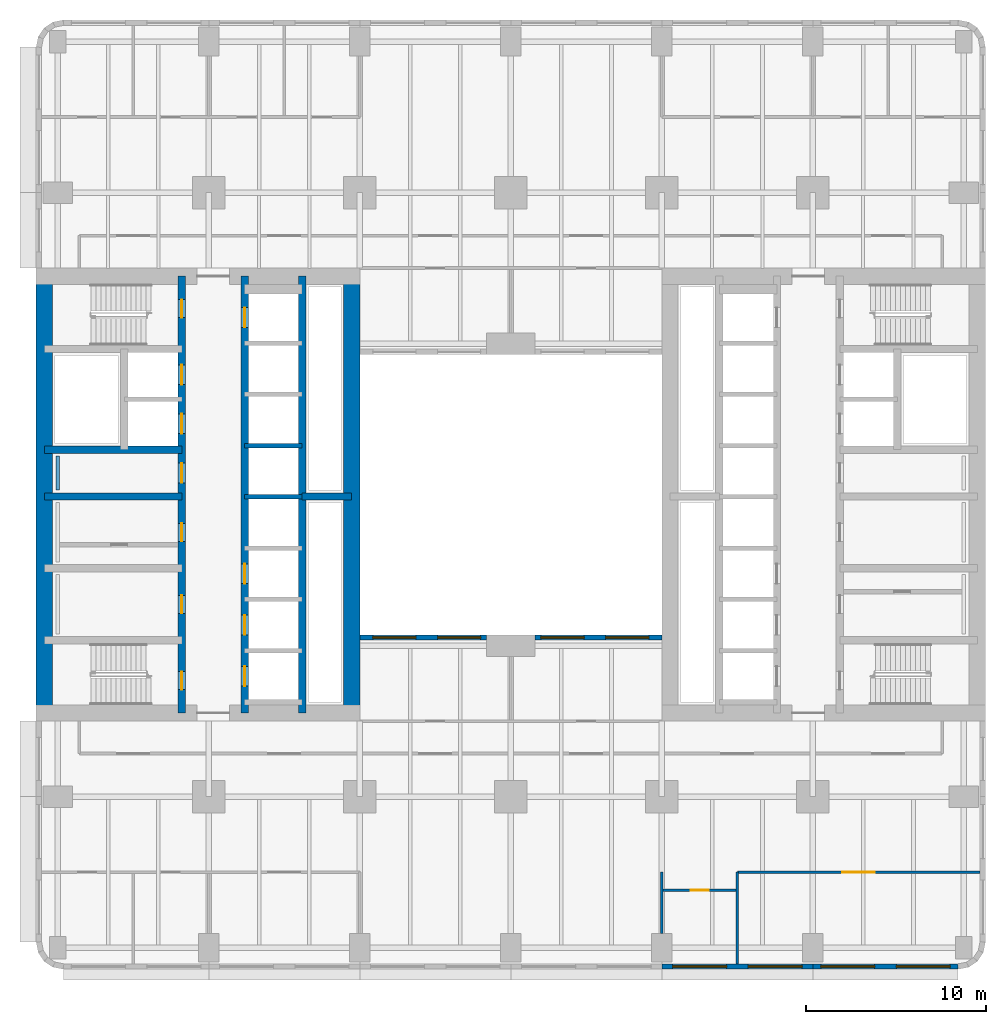
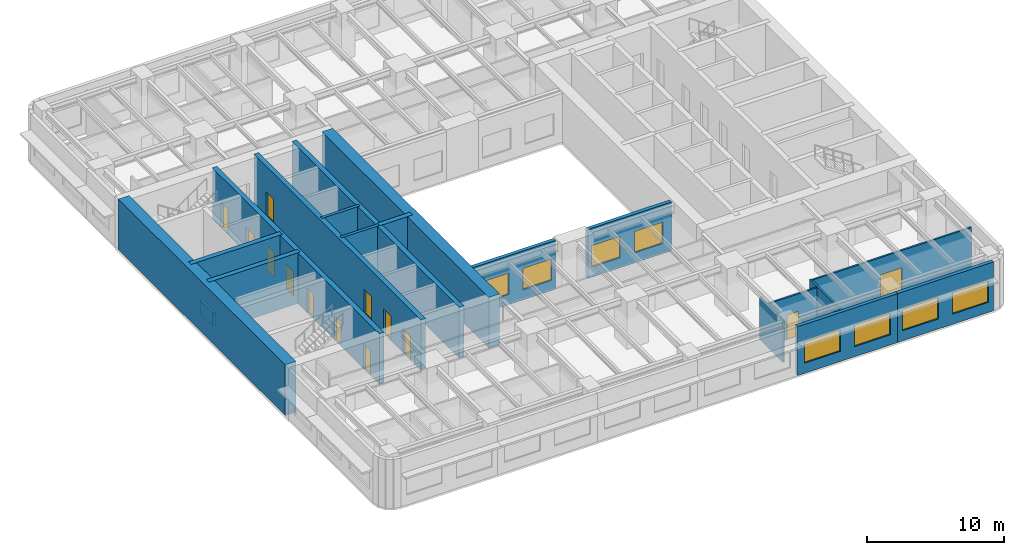
# One storey, part 4 of 14: 19 walls, 13 doors, 8 windows, 21 openings.
"""IFC4 building model written with IfcOpenShell, lengths in metres."""

from ifc_helpers import new_model, si_unit, direction, frame, frame_2d, origin, place, context, subcontext, project, spatial, rectangle, extrude, material, layer, layer_set, type_object, element, fill, save


model = new_model("IFC4")

# Units and contexts
model_context = context("Model", 3, precision=1e-05, world=origin(), true_north=direction((0.0, 1.0)))
body_context = subcontext(model_context, "Body", "Model", "MODEL_VIEW")
ifc_project = project(units=[si_unit("LENGTHUNIT", "METRE"), si_unit("AREAUNIT", "SQUARE_METRE"), si_unit("VOLUMEUNIT", "CUBIC_METRE"), si_unit("PLANEANGLEUNIT", "RADIAN"), si_unit("MASSUNIT", "GRAM", prefix="KILO")], contexts=[model_context])

# Site, building, storey
site_placement = place(None, origin())
site = spatial("IfcSite", under=ifc_project, at=site_placement, CompositionType="ELEMENT")
building_placement = place(site_placement, origin())
building = spatial("IfcBuilding", under=site, at=building_placement, Name="Claustro Exchange Tower", CompositionType="ELEMENT")
storey_placement = place(building_placement, frame((0.0, 0.0, 23.39990234375)))
storey = spatial("IfcBuildingStorey", under=building, at=storey_placement, Name="L05", CompositionType="ELEMENT", Elevation=23.39990234375)

# Wall, opening, door
ifc_material_1 = material(Name="Gypsum board on steel studs", Category="steel")
ifc_layer_1 = layer(ifc_material_1, 0.14990234375)
ifc_layer_set_1 = layer_set([ifc_layer_1], Name="Gypsum board on steel studs")
wall_type_1 = type_object("IfcWallType", Name="P1 150 plasterboard partition", PredefinedType="PARTITIONING", material=ifc_layer_set_1)
wall_1_placement = place(storey_placement, frame((33.674072265625, 3.199951171875, 0.0), z_axis=(0.0, 0.0, 1.0), x_axis=(1.0, 0.0, 0.0)))
wall_1 = element("IfcWall", 1, at=wall_1_placement, inside=storey, type_object=wall_type_1, Name="Partition P1 L05", PredefinedType="PARTITIONING", context=body_context, shape_type="SweptSolid", body=[
    extrude(rectangle(XDim=4.052001953125, YDim=0.14990234375, at=frame_2d((2.02587890625, 0.0))), origin(), (0.0, 0.0, 1.0), 3.739990234375),
])
opening_1_placement = place(wall_1_placement, frame((1.52587890625, 0.0, 0.0)))
opening_1 = element("IfcOpeningElement", 2, at=opening_1_placement, cuts=wall_1, Name="Opening D1", PredefinedType="OPENING", context=body_context, shape_type="SweptSolid", body=[
    extrude(rectangle(XDim=1.0, YDim=2.199951171875, at=frame_2d((0.5, 1.10009765625))), frame((0.0, 0.0849609375, 0.0), z_axis=(0.0, -1.0, 0.0), x_axis=(1.0, 0.0, 0.0)), (0.0, 0.0, 1.0), 0.169921875),
])
ifc_material_2 = material(Name="Timber door, oak veneer", Category="wood")
door_type_1 = type_object("IfcDoorType", Name="D1 1000 x 2200 single door", OperationType="SINGLE_SWING_LEFT", PredefinedType="DOOR", material=ifc_material_2)
door_1_placement = place(opening_1_placement, frame((1.0, 0.0, 0.0), z_axis=(0.0, 0.0, 1.0), x_axis=(-1.0, 0.0, 0.0)))
door_1 = element("IfcDoor", 3, at=door_1_placement, inside=storey, type_object=door_type_1, Name="Door D1 L05", OperationType="SINGLE_SWING_LEFT", OverallHeight=2.199951171875, OverallWidth=1.0, PredefinedType="DOOR", context=body_context, shape_type="SweptSolid", body=[
    extrude(rectangle(XDim=1.0, YDim=2.199951171875, at=frame_2d((0.5, 1.10009765625))), frame((0.0, 0.02490234375, 0.0), z_axis=(0.0, -1.0, 0.0), x_axis=(1.0, 0.0, 0.0)), (0.0, 0.0, 1.0), 0.050048828125),
])
fill(opening_1, door_1)

wall_2_placement = place(storey_placement, frame((37.800048828125, 4.199951171875, 0.0), z_axis=(0.0, 0.0, 1.0), x_axis=(1.0, 0.0, 0.0)))
wall_2 = element("IfcWall", 4, at=wall_2_placement, inside=storey, type_object=wall_type_1, Name="Partition P1 L05", PredefinedType="PARTITIONING", context=body_context, shape_type="SweptSolid", body=[
    extrude(rectangle(XDim=13.501953125, YDim=0.14990234375, at=frame_2d((6.7509765625, 0.0))), origin(), (0.0, 0.0, 1.0), 3.739990234375),
])
opening_2_placement = place(wall_2_placement, frame((5.85009765625, 0.0, 0.0)))
opening_2 = element("IfcOpeningElement", 5, at=opening_2_placement, cuts=wall_2, Name="Opening D2", PredefinedType="OPENING", context=body_context, shape_type="SweptSolid", body=[
    extrude(rectangle(XDim=1.800048828125, YDim=2.199951171875, at=frame_2d((0.89990234375, 1.10009765625))), frame((0.0, 0.0849609375, 0.0), z_axis=(0.0, -1.0, 0.0), x_axis=(1.0, 0.0, 0.0)), (0.0, 0.0, 1.0), 0.169921875),
])
ifc_material_3 = material(Name="Timber door, oak veneer", Category="wood")
door_type_2 = type_object("IfcDoorType", Name="D2 1800 x 2200 double door", OperationType="DOUBLE_DOOR_SINGLE_SWING", PredefinedType="DOOR", material=ifc_material_3)
door_2_placement = place(opening_2_placement, frame((1.800048828125, 0.0, 0.0), z_axis=(0.0, 0.0, 1.0), x_axis=(-1.0, 0.0, 0.0)))
door_2 = element("IfcDoor", 6, at=door_2_placement, inside=storey, type_object=door_type_2, Name="Double door D2 L05", OperationType="DOUBLE_DOOR_SINGLE_SWING", OverallHeight=2.199951171875, OverallWidth=1.800048828125, PredefinedType="DOOR", context=body_context, shape_type="SweptSolid", body=[
    extrude(rectangle(XDim=1.800048828125, YDim=2.199951171875, at=frame_2d((0.89990234375, 1.10009765625))), frame((0.0, 0.02490234375, 0.0), z_axis=(0.0, -1.0, 0.0), x_axis=(1.0, 0.0, 0.0)), (0.0, 0.0, 1.0), 0.050048828125),
])
fill(opening_2, door_2)

# Walls
wall_3_placement = place(storey_placement, frame((33.60009765625, 0.799072265625, 0.0), z_axis=(0.0, 0.0, 1.0), x_axis=(0.0, 1.0, 0.0)))
element("IfcWall", 7, at=wall_3_placement, inside=storey, type_object=wall_type_1, Name="Partition P1 L05", PredefinedType="PARTITIONING", context=body_context, shape_type="SweptSolid", body=[
    extrude(rectangle(XDim=3.40087890625, YDim=0.14990234375, at=frame_2d((1.700439453125, 0.0))), origin(), (0.0, 0.0, 1.0), 3.739990234375),
])
wall_4_placement = place(storey_placement, frame((37.800048828125, -0.902099609375, 0.0), z_axis=(0.0, 0.0, 1.0), x_axis=(0.0, 1.0, 0.0)))
element("IfcWall", 8, at=wall_4_placement, inside=storey, type_object=wall_type_1, Name="Partition P1 L05", PredefinedType="PARTITIONING", context=body_context, shape_type="SweptSolid", body=[
    extrude(rectangle(XDim=5.10205078125, YDim=0.14990234375, at=frame_2d((2.551025390625, 0.0))), origin(), (0.0, 0.0, 1.0), 3.840087890625),
])

# Wall, openings, windows
ifc_material_4 = material(Name="Concrete HA-40 (C40/50), precast, white cement, acid-etched", Category="concrete")
ifc_layer_2 = layer(ifc_material_4, 0.300048828125)
ifc_layer_set_2 = layer_set([ifc_layer_2], Name="Concrete HA-40 (C40/50), precast, white cement, acid-etched")
wall_type_2 = type_object("IfcWallType", Name="PC1 300 precast concrete pier panel", PredefinedType="SOLIDWALL", material=ifc_layer_set_2)
wall_5_placement = place(storey_placement, frame((50.085205078125, -1.050048828125, 0.0), z_axis=(0.0, 0.0, 1.0), x_axis=(-1.0, 0.0, 0.0)))
wall_5 = element("IfcWall", 9, at=wall_5_placement, inside=storey, type_object=wall_type_2, Name="Precast pier panel PC1 L05", PredefinedType="SOLIDWALL", context=body_context, shape_type="SweptSolid", body=[
    extrude(rectangle(XDim=8.085205078125, YDim=0.300048828125, at=frame_2d((4.04248046875, 0.0))), origin(), (0.0, 0.0, 1.0), 4.340087890625),
])
opening_3_placement = place(wall_5_placement, frame((0.442626953125, 0.0, 0.89990234375)))
opening_3 = element("IfcOpeningElement", 10, at=opening_3_placement, cuts=wall_5, Name="Opening W1", PredefinedType="OPENING", context=body_context, shape_type="SweptSolid", body=[
    extrude(rectangle(XDim=3.0, YDim=1.89990234375, at=frame_2d((1.5, 0.949951171875))), frame((0.0, 0.159912109375, 0.0), z_axis=(0.0, -1.0, 0.0), x_axis=(1.0, 0.0, 0.0)), (0.0, 0.0, 1.0), 0.320068359375),
])
opening_4_placement = place(wall_5_placement, frame((4.642578125, 0.0, 0.89990234375)))
opening_4 = element("IfcOpeningElement", 11, at=opening_4_placement, cuts=wall_5, Name="Opening W1", PredefinedType="OPENING", context=body_context, shape_type="SweptSolid", body=[
    extrude(rectangle(XDim=3.0, YDim=1.89990234375, at=frame_2d((1.5, 0.949951171875))), frame((0.0, 0.159912109375, 0.0), z_axis=(0.0, -1.0, 0.0), x_axis=(1.0, 0.0, 0.0)), (0.0, 0.0, 1.0), 0.320068359375),
])
ifc_material_5 = material(Name="Aluminium frame, clear double glazing", Category="aluminium")
window_type_1 = type_object("IfcWindowType", Name="W1 3000 x 1900 window", PartitioningType="SINGLE_PANEL", PredefinedType="WINDOW", material=ifc_material_5)
window_1_placement = place(opening_3_placement, origin())
window_1 = element("IfcWindow", 12, at=window_1_placement, inside=storey, type_object=window_type_1, Name="Window W1 L05", OverallHeight=1.89990234375, OverallWidth=3.0, PartitioningType="SINGLE_PANEL", PredefinedType="WINDOW", context=body_context, shape_type="SweptSolid", body=[
    extrude(rectangle(XDim=3.0, YDim=1.89990234375, at=frame_2d((1.5, 0.949951171875))), frame((0.0, 0.030029296875, 0.0), z_axis=(0.0, -1.0, 0.0), x_axis=(1.0, 0.0, 0.0)), (0.0, 0.0, 1.0), 0.06005859375),
])
fill(opening_3, window_1)
window_2_placement = place(opening_4_placement, origin())
window_2 = element("IfcWindow", 13, at=window_2_placement, inside=storey, type_object=window_type_1, Name="Window W1 L05", OverallHeight=1.89990234375, OverallWidth=3.0, PartitioningType="SINGLE_PANEL", PredefinedType="WINDOW", context=body_context, shape_type="SweptSolid", body=[
    extrude(rectangle(XDim=3.0, YDim=1.89990234375, at=frame_2d((1.5, 0.949951171875))), frame((0.0, 0.030029296875, 0.0), z_axis=(0.0, -1.0, 0.0), x_axis=(1.0, 0.0, 0.0)), (0.0, 0.0, 1.0), 0.06005859375),
])
fill(opening_4, window_2)

wall_6_placement = place(storey_placement, frame((42.0, -1.050048828125, 0.0), z_axis=(0.0, 0.0, 1.0), x_axis=(-1.0, 0.0, 0.0)))
wall_6 = element("IfcWall", 14, at=wall_6_placement, inside=storey, type_object=wall_type_2, Name="Precast pier panel PC1 L05", PredefinedType="SOLIDWALL", context=body_context, shape_type="SweptSolid", body=[
    extrude(rectangle(XDim=8.39990234375, YDim=0.300048828125, at=frame_2d((4.199951171875, 0.0))), origin(), (0.0, 0.0, 1.0), 4.340087890625),
])
opening_5_placement = place(wall_6_placement, frame((0.60009765625, 0.0, 0.89990234375)))
opening_5 = element("IfcOpeningElement", 15, at=opening_5_placement, cuts=wall_6, Name="Opening W1", PredefinedType="OPENING", context=body_context, shape_type="SweptSolid", body=[
    extrude(rectangle(XDim=3.0, YDim=1.89990234375, at=frame_2d((1.5, 0.949951171875))), frame((0.0, 0.159912109375, 0.0), z_axis=(0.0, -1.0, 0.0), x_axis=(1.0, 0.0, 0.0)), (0.0, 0.0, 1.0), 0.320068359375),
])
opening_6_placement = place(wall_6_placement, frame((4.800048828125, 0.0, 0.89990234375)))
opening_6 = element("IfcOpeningElement", 16, at=opening_6_placement, cuts=wall_6, Name="Opening W1", PredefinedType="OPENING", context=body_context, shape_type="SweptSolid", body=[
    extrude(rectangle(XDim=3.0, YDim=1.89990234375, at=frame_2d((1.5, 0.949951171875))), frame((0.0, 0.159912109375, 0.0), z_axis=(0.0, -1.0, 0.0), x_axis=(1.0, 0.0, 0.0)), (0.0, 0.0, 1.0), 0.320068359375),
])
window_3_placement = place(opening_5_placement, origin())
window_3 = element("IfcWindow", 17, at=window_3_placement, inside=storey, type_object=window_type_1, Name="Window W1 L05", OverallHeight=1.89990234375, OverallWidth=3.0, PartitioningType="SINGLE_PANEL", PredefinedType="WINDOW", context=body_context, shape_type="SweptSolid", body=[
    extrude(rectangle(XDim=3.0, YDim=1.89990234375, at=frame_2d((1.5, 0.949951171875))), frame((0.0, 0.030029296875, 0.0), z_axis=(0.0, -1.0, 0.0), x_axis=(1.0, 0.0, 0.0)), (0.0, 0.0, 1.0), 0.06005859375),
])
fill(opening_5, window_3)
window_4_placement = place(opening_6_placement, origin())
window_4 = element("IfcWindow", 18, at=window_4_placement, inside=storey, type_object=window_type_1, Name="Window W1 L05", OverallHeight=1.89990234375, OverallWidth=3.0, PartitioningType="SINGLE_PANEL", PredefinedType="WINDOW", context=body_context, shape_type="SweptSolid", body=[
    extrude(rectangle(XDim=3.0, YDim=1.89990234375, at=frame_2d((1.5, 0.949951171875))), frame((0.0, 0.030029296875, 0.0), z_axis=(0.0, -1.0, 0.0), x_axis=(1.0, 0.0, 0.0)), (0.0, 0.0, 1.0), 0.06005859375),
])
fill(opening_6, window_4)

wall_7_placement = place(storey_placement, frame((16.800048828125, 17.25, 0.0), z_axis=(0.0, 0.0, 1.0), x_axis=(1.0, 0.0, 0.0)))
wall_7 = element("IfcWall", 19, at=wall_7_placement, inside=storey, type_object=wall_type_2, Name="Precast pier panel PC1 L05", PredefinedType="SOLIDWALL", context=body_context, shape_type="SweptSolid", body=[
    extrude(rectangle(XDim=7.050048828125, YDim=0.300048828125, at=frame_2d((3.52490234375, 0.0))), origin(), (0.0, 0.0, 1.0), 4.340087890625),
])
opening_7_placement = place(wall_7_placement, frame((0.72509765625, 0.0, 0.89990234375)))
opening_7 = element("IfcOpeningElement", 20, at=opening_7_placement, cuts=wall_7, Name="Opening W2", PredefinedType="OPENING", context=body_context, shape_type="SweptSolid", body=[
    extrude(rectangle(XDim=2.39990234375, YDim=1.89990234375, at=frame_2d((1.199951171875, 0.949951171875))), frame((0.0, 0.159912109375, 0.0), z_axis=(0.0, -1.0, 0.0), x_axis=(1.0, 0.0, 0.0)), (0.0, 0.0, 1.0), 0.320068359375),
])
opening_8_placement = place(wall_7_placement, frame((4.324951171875, 0.0, 0.89990234375)))
opening_8 = element("IfcOpeningElement", 21, at=opening_8_placement, cuts=wall_7, Name="Opening W2", PredefinedType="OPENING", context=body_context, shape_type="SweptSolid", body=[
    extrude(rectangle(XDim=2.39990234375, YDim=1.89990234375, at=frame_2d((1.199951171875, 0.949951171875))), frame((0.0, 0.159912109375, 0.0), z_axis=(0.0, -1.0, 0.0), x_axis=(1.0, 0.0, 0.0)), (0.0, 0.0, 1.0), 0.320068359375),
])
ifc_material_6 = material(Name="Aluminium frame, clear double glazing", Category="aluminium")
window_type_2 = type_object("IfcWindowType", Name="W2 2400 x 1900 window", PartitioningType="SINGLE_PANEL", PredefinedType="WINDOW", material=ifc_material_6)
window_5_placement = place(opening_7_placement, origin())
window_5 = element("IfcWindow", 22, at=window_5_placement, inside=storey, type_object=window_type_2, Name="Window W2 L05", OverallHeight=1.89990234375, OverallWidth=2.39990234375, PartitioningType="SINGLE_PANEL", PredefinedType="WINDOW", context=body_context, shape_type="SweptSolid", body=[
    extrude(rectangle(XDim=2.39990234375, YDim=1.89990234375, at=frame_2d((1.199951171875, 0.949951171875))), frame((0.0, 0.030029296875, 0.0), z_axis=(0.0, -1.0, 0.0), x_axis=(1.0, 0.0, 0.0)), (0.0, 0.0, 1.0), 0.06005859375),
])
fill(opening_7, window_5)
window_6_placement = place(opening_8_placement, origin())
window_6 = element("IfcWindow", 23, at=window_6_placement, inside=storey, type_object=window_type_2, Name="Window W2 L05", OverallHeight=1.89990234375, OverallWidth=2.39990234375, PartitioningType="SINGLE_PANEL", PredefinedType="WINDOW", context=body_context, shape_type="SweptSolid", body=[
    extrude(rectangle(XDim=2.39990234375, YDim=1.89990234375, at=frame_2d((1.199951171875, 0.949951171875))), frame((0.0, 0.030029296875, 0.0), z_axis=(0.0, -1.0, 0.0), x_axis=(1.0, 0.0, 0.0)), (0.0, 0.0, 1.0), 0.06005859375),
])
fill(opening_8, window_6)

wall_8_placement = place(storey_placement, frame((26.550048828125, 17.25, 0.0), z_axis=(0.0, 0.0, 1.0), x_axis=(1.0, 0.0, 0.0)))
wall_8 = element("IfcWall", 24, at=wall_8_placement, inside=storey, type_object=wall_type_2, Name="Precast pier panel PC1 L05", PredefinedType="SOLIDWALL", context=body_context, shape_type="SweptSolid", body=[
    extrude(rectangle(XDim=7.050048828125, YDim=0.300048828125, at=frame_2d((3.52490234375, 0.0))), origin(), (0.0, 0.0, 1.0), 4.340087890625),
])
opening_9_placement = place(wall_8_placement, frame((0.324951171875, 0.0, 0.89990234375)))
opening_9 = element("IfcOpeningElement", 25, at=opening_9_placement, cuts=wall_8, Name="Opening W2", PredefinedType="OPENING", context=body_context, shape_type="SweptSolid", body=[
    extrude(rectangle(XDim=2.39990234375, YDim=1.89990234375, at=frame_2d((1.199951171875, 0.949951171875))), frame((0.0, 0.159912109375, 0.0), z_axis=(0.0, -1.0, 0.0), x_axis=(1.0, 0.0, 0.0)), (0.0, 0.0, 1.0), 0.320068359375),
])
opening_10_placement = place(wall_8_placement, frame((3.925048828125, 0.0, 0.89990234375)))
opening_10 = element("IfcOpeningElement", 26, at=opening_10_placement, cuts=wall_8, Name="Opening W2", PredefinedType="OPENING", context=body_context, shape_type="SweptSolid", body=[
    extrude(rectangle(XDim=2.39990234375, YDim=1.89990234375, at=frame_2d((1.199951171875, 0.949951171875))), frame((0.0, 0.159912109375, 0.0), z_axis=(0.0, -1.0, 0.0), x_axis=(1.0, 0.0, 0.0)), (0.0, 0.0, 1.0), 0.320068359375),
])
window_7_placement = place(opening_9_placement, origin())
window_7 = element("IfcWindow", 27, at=window_7_placement, inside=storey, type_object=window_type_2, Name="Window W2 L05", OverallHeight=1.89990234375, OverallWidth=2.39990234375, PartitioningType="SINGLE_PANEL", PredefinedType="WINDOW", context=body_context, shape_type="SweptSolid", body=[
    extrude(rectangle(XDim=2.39990234375, YDim=1.89990234375, at=frame_2d((1.199951171875, 0.949951171875))), frame((0.0, 0.030029296875, 0.0), z_axis=(0.0, -1.0, 0.0), x_axis=(1.0, 0.0, 0.0)), (0.0, 0.0, 1.0), 0.06005859375),
])
fill(opening_9, window_7)
window_8_placement = place(opening_10_placement, origin())
window_8 = element("IfcWindow", 28, at=window_8_placement, inside=storey, type_object=window_type_2, Name="Window W2 L05", OverallHeight=1.89990234375, OverallWidth=2.39990234375, PartitioningType="SINGLE_PANEL", PredefinedType="WINDOW", context=body_context, shape_type="SweptSolid", body=[
    extrude(rectangle(XDim=2.39990234375, YDim=1.89990234375, at=frame_2d((1.199951171875, 0.949951171875))), frame((0.0, 0.030029296875, 0.0), z_axis=(0.0, -1.0, 0.0), x_axis=(1.0, 0.0, 0.0)), (0.0, 0.0, 1.0), 0.06005859375),
])
fill(opening_10, window_8)

# Walls
ifc_material_7 = material(Name="Gypsum board on steel studs, tiled", Category="steel")
ifc_layer_3 = layer(ifc_material_7, 0.199951171875)
ifc_layer_set_3 = layer_set([ifc_layer_3], Name="Gypsum board on steel studs, tiled")
wall_type_3 = type_object("IfcWallType", Name="PW1 200 WC duct wall", PredefinedType="PLUMBINGWALL", material=ifc_layer_set_3)
wall_9_placement = place(storey_placement, frame((0.0, 25.449951171875, 0.0), z_axis=(0.0, 0.0, 1.0), x_axis=(0.0, 1.0, 0.0)))
element("IfcWall", 29, at=wall_9_placement, inside=storey, type_object=wall_type_3, Name="WC duct wall PW1 L05", PredefinedType="PLUMBINGWALL", context=body_context, shape_type="SweptSolid", body=[
    extrude(rectangle(XDim=1.900146484375, YDim=0.199951171875, at=frame_2d((0.9501953125, 0.0))), origin(), (0.0, 0.0, 1.0), 1.2001953125),
])
ifc_material_8 = material(Name="Concrete HA-70 (C70/85)", Category="concrete")
ifc_layer_4 = layer(ifc_material_8, 0.89990234375)
ifc_layer_set_4 = layer_set([ifc_layer_4], Name="Concrete HA-70 (C70/85)")
wall_type_4 = type_object("IfcWallType", Name="SW1X 900 exposed core shear wall, board-marked face", PredefinedType="SHEAR", material=ifc_layer_set_4)
for number, where, z_axis, x_axis, name in (
    (30, (-0.75, 13.050048828125, 0.0), (0.0, 0.0, 1.0), (0.0, 1.0, 0.0), "Core wall SW1X W core W face L05"),
    (31, (16.35009765625, 13.050048828125, 0.0), (0.0, 0.0, 1.0), (0.0, 1.0, 0.0), "Core wall SW1X W core E face L05"),
):
    element("IfcWall", number, at=place(storey_placement, frame(where, z_axis=z_axis, x_axis=x_axis)), inside=storey, type_object=wall_type_4, Name=name, PredefinedType="SHEAR", context=body_context, shape_type="SweptSolid", body=[
        extrude(rectangle(XDim=24.300048828125, YDim=0.89990234375, at=frame_2d((12.14990234375, 0.0))), origin(), (0.0, 0.0, 1.0), 4.5),
    ])

# Wall, openings, doors
ifc_material_9 = material(Name="Concrete HA-50 (C50/60)", Category="concrete")
ifc_layer_5 = layer(ifc_material_9, 0.39990234375)
ifc_layer_set_5 = layer_set([ifc_layer_5], Name="Concrete HA-50 (C50/60)")
wall_type_5 = type_object("IfcWallType", Name="SW4 400 internal core wall", PredefinedType="SHEAR", material=ifc_layer_set_5)
wall_10_placement = place(storey_placement, frame((6.89990234375, 13.050048828125, 0.0), z_axis=(0.0, 0.0, 1.0), x_axis=(0.0, 1.0, 0.0)))
wall_10 = element("IfcWall", 32, at=wall_10_placement, inside=storey, type_object=wall_type_5, Name="Internal core wall SW4 W core L05", PredefinedType="SHEAR", context=body_context, shape_type="SweptSolid", body=[
    extrude(rectangle(XDim=24.300048828125, YDim=0.39990234375, at=frame_2d((12.14990234375, 0.0))), origin(), (0.0, 0.0, 1.0), 4.5),
])
opening_11_placement = place(wall_10_placement, frame((1.300048828125, 0.0, 0.0)))
opening_11 = element("IfcOpeningElement", 33, at=opening_11_placement, cuts=wall_10, Name="Opening D4", PredefinedType="OPENING", context=body_context, shape_type="SweptSolid", body=[
    extrude(rectangle(XDim=1.0, YDim=2.199951171875, at=frame_2d((0.5, 1.10009765625))), frame((0.0, 0.2099609375, 0.0), z_axis=(0.0, -1.0, 0.0), x_axis=(1.0, 0.0, 0.0)), (0.0, 0.0, 1.0), 0.419921875),
])
opening_12_placement = place(wall_10_placement, frame((22.0, 0.0, 0.0)))
opening_12 = element("IfcOpeningElement", 34, at=opening_12_placement, cuts=wall_10, Name="Opening D4", PredefinedType="OPENING", context=body_context, shape_type="SweptSolid", body=[
    extrude(rectangle(XDim=1.0, YDim=2.199951171875, at=frame_2d((0.5, 1.10009765625))), frame((0.0, 0.2099609375, 0.0), z_axis=(0.0, -1.0, 0.0), x_axis=(1.0, 0.0, 0.0)), (0.0, 0.0, 1.0), 0.419921875),
])
opening_13_placement = place(wall_10_placement, frame((5.550048828125, 0.0, 0.0)))
opening_13 = element("IfcOpeningElement", 35, at=opening_13_placement, cuts=wall_10, Name="Opening D1", PredefinedType="OPENING", context=body_context, shape_type="SweptSolid", body=[
    extrude(rectangle(XDim=1.0, YDim=2.199951171875, at=frame_2d((0.5, 1.10009765625))), frame((0.0, 0.2099609375, 0.0), z_axis=(0.0, -1.0, 0.0), x_axis=(1.0, 0.0, 0.0)), (0.0, 0.0, 1.0), 0.419921875),
])
opening_14_placement = place(wall_10_placement, frame((9.550048828125, 0.0, 0.0)))
opening_14 = element("IfcOpeningElement", 36, at=opening_14_placement, cuts=wall_10, Name="Opening D1", PredefinedType="OPENING", context=body_context, shape_type="SweptSolid", body=[
    extrude(rectangle(XDim=1.0, YDim=2.199951171875, at=frame_2d((0.5, 1.10009765625))), frame((0.0, 0.2099609375, 0.0), z_axis=(0.0, -1.0, 0.0), x_axis=(1.0, 0.0, 0.0)), (0.0, 0.0, 1.0), 0.419921875),
])
opening_15_placement = place(wall_10_placement, frame((12.800048828125, 0.0, 0.0)))
opening_15 = element("IfcOpeningElement", 37, at=opening_15_placement, cuts=wall_10, Name="Opening D10", PredefinedType="OPENING", context=body_context, shape_type="SweptSolid", body=[
    extrude(rectangle(XDim=1.10009765625, YDim=2.199951171875, at=frame_2d((0.550048828125, 1.10009765625))), frame((0.0, 0.2099609375, 0.0), z_axis=(0.0, -1.0, 0.0), x_axis=(1.0, 0.0, 0.0)), (0.0, 0.0, 1.0), 0.419921875),
])
opening_16_placement = place(wall_10_placement, frame((15.53759765625, 0.0, 0.0)))
opening_16 = element("IfcOpeningElement", 38, at=opening_16_placement, cuts=wall_10, Name="Opening LD", PredefinedType="OPENING", context=body_context, shape_type="SweptSolid", body=[
    extrude(rectangle(XDim=1.10009765625, YDim=2.199951171875, at=frame_2d((0.550048828125, 1.10009765625))), frame((0.0, 0.2099609375, 0.0), z_axis=(0.0, -1.0, 0.0), x_axis=(1.0, 0.0, 0.0)), (0.0, 0.0, 1.0), 0.419921875),
])
opening_17_placement = place(wall_10_placement, frame((18.262451171875, 0.0, 0.0)))
opening_17 = element("IfcOpeningElement", 39, at=opening_17_placement, cuts=wall_10, Name="Opening LD", PredefinedType="OPENING", context=body_context, shape_type="SweptSolid", body=[
    extrude(rectangle(XDim=1.10009765625, YDim=2.199951171875, at=frame_2d((0.550048828125, 1.10009765625))), frame((0.0, 0.2099609375, 0.0), z_axis=(0.0, -1.0, 0.0), x_axis=(1.0, 0.0, 0.0)), (0.0, 0.0, 1.0), 0.419921875),
])
door_3_placement = place(opening_13_placement, origin())
door_3 = element("IfcDoor", 40, at=door_3_placement, inside=storey, type_object=door_type_1, Name="Door D1 L05", OperationType="SINGLE_SWING_RIGHT", OverallHeight=2.199951171875, OverallWidth=1.0, PredefinedType="DOOR", context=body_context, shape_type="SweptSolid", body=[
    extrude(rectangle(XDim=1.0, YDim=2.199951171875, at=frame_2d((0.5, 1.10009765625))), frame((0.0, 0.02490234375, 0.0), z_axis=(0.0, -1.0, 0.0), x_axis=(1.0, 0.0, 0.0)), (0.0, 0.0, 1.0), 0.050048828125),
])
fill(opening_13, door_3)
door_4_placement = place(opening_14_placement, origin())
door_4 = element("IfcDoor", 41, at=door_4_placement, inside=storey, type_object=door_type_1, Name="Door D1 L05", OperationType="SINGLE_SWING_LEFT", OverallHeight=2.199951171875, OverallWidth=1.0, PredefinedType="DOOR", context=body_context, shape_type="SweptSolid", body=[
    extrude(rectangle(XDim=1.0, YDim=2.199951171875, at=frame_2d((0.5, 1.10009765625))), frame((0.0, 0.02490234375, 0.0), z_axis=(0.0, -1.0, 0.0), x_axis=(1.0, 0.0, 0.0)), (0.0, 0.0, 1.0), 0.050048828125),
])
fill(opening_14, door_4)
ifc_material_10 = material(Name="Timber door, oak veneer", Category="wood")
door_type_3 = type_object("IfcDoorType", Name="D10 1100 x 2200 accessible WC door", OperationType="SINGLE_SWING_LEFT", PredefinedType="DOOR", material=ifc_material_10)
door_5_placement = place(opening_15_placement, frame((1.10009765625, 0.0, 0.0), z_axis=(0.0, 0.0, 1.0), x_axis=(-1.0, 0.0, 0.0)))
door_5 = element("IfcDoor", 42, at=door_5_placement, inside=storey, type_object=door_type_3, Name="Accessible WC door D10 L05", OperationType="SINGLE_SWING_LEFT", OverallHeight=2.199951171875, OverallWidth=1.10009765625, PredefinedType="DOOR", context=body_context, shape_type="SweptSolid", body=[
    extrude(rectangle(XDim=1.10009765625, YDim=2.199951171875, at=frame_2d((0.550048828125, 1.10009765625))), frame((0.0, 0.02490234375, 0.0), z_axis=(0.0, -1.0, 0.0), x_axis=(1.0, 0.0, 0.0)), (0.0, 0.0, 1.0), 0.050048828125),
])
fill(opening_15, door_5)
ifc_material_11 = material(Name="Steel fire door, painted", Category="steel")
door_type_4 = type_object("IfcDoorType", Name="D4 1000 x 2200 fire-rated stair door", OperationType="SINGLE_SWING_LEFT", PredefinedType="DOOR", material=ifc_material_11)
door_6_placement = place(opening_11_placement, origin())
door_6 = element("IfcDoor", 43, at=door_6_placement, inside=storey, type_object=door_type_4, Name="Stair door D4 L05", OperationType="SINGLE_SWING_LEFT", OverallHeight=2.199951171875, OverallWidth=1.0, PredefinedType="DOOR", context=body_context, shape_type="SweptSolid", body=[
    extrude(rectangle(XDim=1.0, YDim=2.199951171875, at=frame_2d((0.5, 1.10009765625))), frame((0.0, 0.02490234375, 0.0), z_axis=(0.0, -1.0, 0.0), x_axis=(1.0, 0.0, 0.0)), (0.0, 0.0, 1.0), 0.050048828125),
])
fill(opening_11, door_6)
door_7_placement = place(opening_12_placement, origin())
door_7 = element("IfcDoor", 44, at=door_7_placement, inside=storey, type_object=door_type_4, Name="Stair door D4 L05", OperationType="SINGLE_SWING_RIGHT", OverallHeight=2.199951171875, OverallWidth=1.0, PredefinedType="DOOR", context=body_context, shape_type="SweptSolid", body=[
    extrude(rectangle(XDim=1.0, YDim=2.199951171875, at=frame_2d((0.5, 1.10009765625))), frame((0.0, 0.02490234375, 0.0), z_axis=(0.0, -1.0, 0.0), x_axis=(1.0, 0.0, 0.0)), (0.0, 0.0, 1.0), 0.050048828125),
])
fill(opening_12, door_7)
ifc_material_12 = material(Name="Stainless steel sliding door", Category="steel")
door_type_5 = type_object("IfcDoorType", Name="LD 1100 x 2200 lift landing door", OperationType="DOUBLE_DOOR_SLIDING", PredefinedType="DOOR", material=ifc_material_12)
door_8_placement = place(opening_16_placement, origin())
door_8 = element("IfcDoor", 45, at=door_8_placement, inside=storey, type_object=door_type_5, Name="Lift landing door LEW1 LD L05", OperationType="DOUBLE_DOOR_SLIDING", OverallHeight=2.199951171875, OverallWidth=1.10009765625, PredefinedType="DOOR", context=body_context, shape_type="SweptSolid", body=[
    extrude(rectangle(XDim=1.10009765625, YDim=2.199951171875, at=frame_2d((0.550048828125, 1.10009765625))), frame((0.0, 0.02490234375, 0.0), z_axis=(0.0, -1.0, 0.0), x_axis=(1.0, 0.0, 0.0)), (0.0, 0.0, 1.0), 0.050048828125),
])
fill(opening_16, door_8)
door_9_placement = place(opening_17_placement, origin())
door_9 = element("IfcDoor", 46, at=door_9_placement, inside=storey, type_object=door_type_5, Name="Lift landing door LEW2 LD L05", OperationType="DOUBLE_DOOR_SLIDING", OverallHeight=2.199951171875, OverallWidth=1.10009765625, PredefinedType="DOOR", context=body_context, shape_type="SweptSolid", body=[
    extrude(rectangle(XDim=1.10009765625, YDim=2.199951171875, at=frame_2d((0.550048828125, 1.10009765625))), frame((0.0, 0.02490234375, 0.0), z_axis=(0.0, -1.0, 0.0), x_axis=(1.0, 0.0, 0.0)), (0.0, 0.0, 1.0), 0.050048828125),
])
fill(opening_17, door_9)

wall_11_placement = place(storey_placement, frame((10.39990234375, 13.050048828125, 0.0), z_axis=(0.0, 0.0, 1.0), x_axis=(0.0, 1.0, 0.0)))
wall_11 = element("IfcWall", 47, at=wall_11_placement, inside=storey, type_object=wall_type_5, Name="Internal core wall SW4 W core L05", PredefinedType="SHEAR", context=body_context, shape_type="SweptSolid", body=[
    extrude(rectangle(XDim=24.300048828125, YDim=0.39990234375, at=frame_2d((12.14990234375, 0.0))), origin(), (0.0, 0.0, 1.0), 4.5),
])
opening_18_placement = place(wall_11_placement, frame((1.5, 0.0, 0.0)))
opening_18 = element("IfcOpeningElement", 48, at=opening_18_placement, cuts=wall_11, Name="Opening LD", PredefinedType="OPENING", context=body_context, shape_type="SweptSolid", body=[
    extrude(rectangle(XDim=1.10009765625, YDim=2.199951171875, at=frame_2d((0.550048828125, 1.10009765625))), frame((0.0, 0.2099609375, 0.0), z_axis=(0.0, -1.0, 0.0), x_axis=(1.0, 0.0, 0.0)), (0.0, 0.0, 1.0), 0.419921875),
])
opening_19_placement = place(wall_11_placement, frame((4.35009765625, 0.0, 0.0)))
opening_19 = element("IfcOpeningElement", 49, at=opening_19_placement, cuts=wall_11, Name="Opening LD", PredefinedType="OPENING", context=body_context, shape_type="SweptSolid", body=[
    extrude(rectangle(XDim=1.10009765625, YDim=2.199951171875, at=frame_2d((0.550048828125, 1.10009765625))), frame((0.0, 0.2099609375, 0.0), z_axis=(0.0, -1.0, 0.0), x_axis=(1.0, 0.0, 0.0)), (0.0, 0.0, 1.0), 0.419921875),
])
opening_20_placement = place(wall_11_placement, frame((7.199951171875, 0.0, 0.0)))
opening_20 = element("IfcOpeningElement", 50, at=opening_20_placement, cuts=wall_11, Name="Opening LD", PredefinedType="OPENING", context=body_context, shape_type="SweptSolid", body=[
    extrude(rectangle(XDim=1.10009765625, YDim=2.199951171875, at=frame_2d((0.550048828125, 1.10009765625))), frame((0.0, 0.2099609375, 0.0), z_axis=(0.0, -1.0, 0.0), x_axis=(1.0, 0.0, 0.0)), (0.0, 0.0, 1.0), 0.419921875),
])
opening_21_placement = place(wall_11_placement, frame((21.449951171875, 0.0, 0.0)))
opening_21 = element("IfcOpeningElement", 51, at=opening_21_placement, cuts=wall_11, Name="Opening LD", PredefinedType="OPENING", context=body_context, shape_type="SweptSolid", body=[
    extrude(rectangle(XDim=1.10009765625, YDim=2.199951171875, at=frame_2d((0.550048828125, 1.10009765625))), frame((0.0, 0.2099609375, 0.0), z_axis=(0.0, -1.0, 0.0), x_axis=(1.0, 0.0, 0.0)), (0.0, 0.0, 1.0), 0.419921875),
])
door_10_placement = place(opening_18_placement, origin())
door_10 = element("IfcDoor", 52, at=door_10_placement, inside=storey, type_object=door_type_5, Name="Lift landing door LLW1 LD L05", OperationType="DOUBLE_DOOR_SLIDING", OverallHeight=2.199951171875, OverallWidth=1.10009765625, PredefinedType="DOOR", context=body_context, shape_type="SweptSolid", body=[
    extrude(rectangle(XDim=1.10009765625, YDim=2.199951171875, at=frame_2d((0.550048828125, 1.10009765625))), frame((0.0, 0.02490234375, 0.0), z_axis=(0.0, -1.0, 0.0), x_axis=(1.0, 0.0, 0.0)), (0.0, 0.0, 1.0), 0.050048828125),
])
fill(opening_18, door_10)
door_11_placement = place(opening_19_placement, origin())
door_11 = element("IfcDoor", 53, at=door_11_placement, inside=storey, type_object=door_type_5, Name="Lift landing door LLW2 LD L05", OperationType="DOUBLE_DOOR_SLIDING", OverallHeight=2.199951171875, OverallWidth=1.10009765625, PredefinedType="DOOR", context=body_context, shape_type="SweptSolid", body=[
    extrude(rectangle(XDim=1.10009765625, YDim=2.199951171875, at=frame_2d((0.550048828125, 1.10009765625))), frame((0.0, 0.02490234375, 0.0), z_axis=(0.0, -1.0, 0.0), x_axis=(1.0, 0.0, 0.0)), (0.0, 0.0, 1.0), 0.050048828125),
])
fill(opening_19, door_11)
door_12_placement = place(opening_20_placement, origin())
door_12 = element("IfcDoor", 54, at=door_12_placement, inside=storey, type_object=door_type_5, Name="Lift landing door LLW3 LD L05", OperationType="DOUBLE_DOOR_SLIDING", OverallHeight=2.199951171875, OverallWidth=1.10009765625, PredefinedType="DOOR", context=body_context, shape_type="SweptSolid", body=[
    extrude(rectangle(XDim=1.10009765625, YDim=2.199951171875, at=frame_2d((0.550048828125, 1.10009765625))), frame((0.0, 0.02490234375, 0.0), z_axis=(0.0, -1.0, 0.0), x_axis=(1.0, 0.0, 0.0)), (0.0, 0.0, 1.0), 0.050048828125),
])
fill(opening_20, door_12)
door_13_placement = place(opening_21_placement, origin())
door_13 = element("IfcDoor", 55, at=door_13_placement, inside=storey, type_object=door_type_5, Name="Lift landing door LSW1 LD L05", OperationType="DOUBLE_DOOR_SLIDING", OverallHeight=2.199951171875, OverallWidth=1.10009765625, PredefinedType="DOOR", context=body_context, shape_type="SweptSolid", body=[
    extrude(rectangle(XDim=1.10009765625, YDim=2.199951171875, at=frame_2d((0.550048828125, 1.10009765625))), frame((0.0, 0.02490234375, 0.0), z_axis=(0.0, -1.0, 0.0), x_axis=(1.0, 0.0, 0.0)), (0.0, 0.0, 1.0), 0.050048828125),
])
fill(opening_21, door_13)

# Walls
wall_12_placement = place(storey_placement, frame((13.60009765625, 13.050048828125, 0.0), z_axis=(0.0, 0.0, 1.0), x_axis=(0.0, 1.0, 0.0)))
element("IfcWall", 56, at=wall_12_placement, inside=storey, type_object=wall_type_5, Name="Internal core wall SW4 W core L05", PredefinedType="SHEAR", context=body_context, shape_type="SweptSolid", body=[
    extrude(rectangle(XDim=24.300048828125, YDim=0.39990234375, at=frame_2d((12.14990234375, 0.0))), origin(), (0.0, 0.0, 1.0), 4.5),
])
for number, where, z_axis, x_axis, name in (
    (57, (-0.75, 25.10009765625, 0.0), (0.0, 0.0, 1.0), (1.0, 0.0, 0.0), "Internal core wall SW4 W core L05"),
    (58, (-0.75, 27.699951171875, 0.0), (0.0, 0.0, 1.0), (1.0, 0.0, 0.0), "Internal core wall SW4 W core L05"),
):
    element("IfcWall", number, at=place(storey_placement, frame(where, z_axis=z_axis, x_axis=x_axis)), inside=storey, type_object=wall_type_5, Name=name, PredefinedType="SHEAR", context=body_context, shape_type="SweptSolid", body=[
        extrude(rectangle(XDim=7.64990234375, YDim=0.39990234375, at=frame_2d((3.824951171875, 0.0))), origin(), (0.0, 0.0, 1.0), 4.5),
    ])
wall_13_placement = place(storey_placement, frame((13.60009765625, 25.10009765625, 0.0), z_axis=(0.0, 0.0, 1.0), x_axis=(1.0, 0.0, 0.0)))
element("IfcWall", 59, at=wall_13_placement, inside=storey, type_object=wall_type_5, Name="Internal core wall SW4 W core L05", PredefinedType="SHEAR", context=body_context, shape_type="SweptSolid", body=[
    extrude(rectangle(XDim=2.75, YDim=0.39990234375, at=frame_2d((1.375, 0.0))), origin(), (0.0, 0.0, 1.0), 4.5),
])
ifc_material_13 = material(Name="Concrete HA-50 (C50/60)", Category="concrete")
ifc_layer_6 = layer(ifc_material_13, 0.25)
ifc_layer_set_6 = layer_set([ifc_layer_6], Name="Concrete HA-50 (C50/60)")
wall_type_6 = type_object("IfcWallType", Name="SW5 250 lift shaft divider wall", PredefinedType="SHEAR", material=ifc_layer_set_6)
for number, where, z_axis, x_axis, name in (
    (60, (10.39990234375, 25.074951171875, 0.0), (0.0, 0.0, 1.0), (1.0, 0.0, 0.0), "Lift shaft wall W core L05"),
    (61, (10.39990234375, 27.925048828125, 0.0), (0.0, 0.0, 1.0), (1.0, 0.0, 0.0), "Lift shaft wall W core L05"),
):
    element("IfcWall", number, at=place(storey_placement, frame(where, z_axis=z_axis, x_axis=x_axis)), inside=storey, type_object=wall_type_6, Name=name, PredefinedType="SHEAR", context=body_context, shape_type="SweptSolid", body=[
        extrude(rectangle(XDim=3.2001953125, YDim=0.25, at=frame_2d((1.60009765625, 0.0))), origin(), (0.0, 0.0, 1.0), 4.5),
    ])

save(model, "model.ifc")
